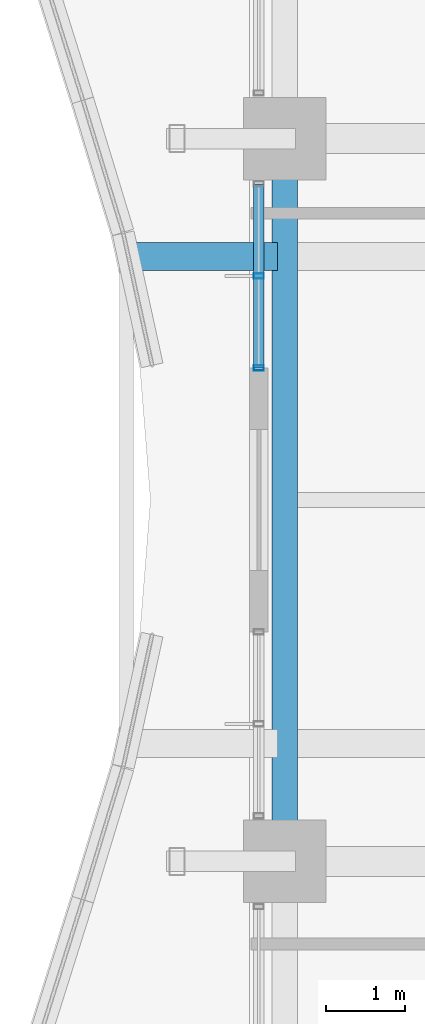
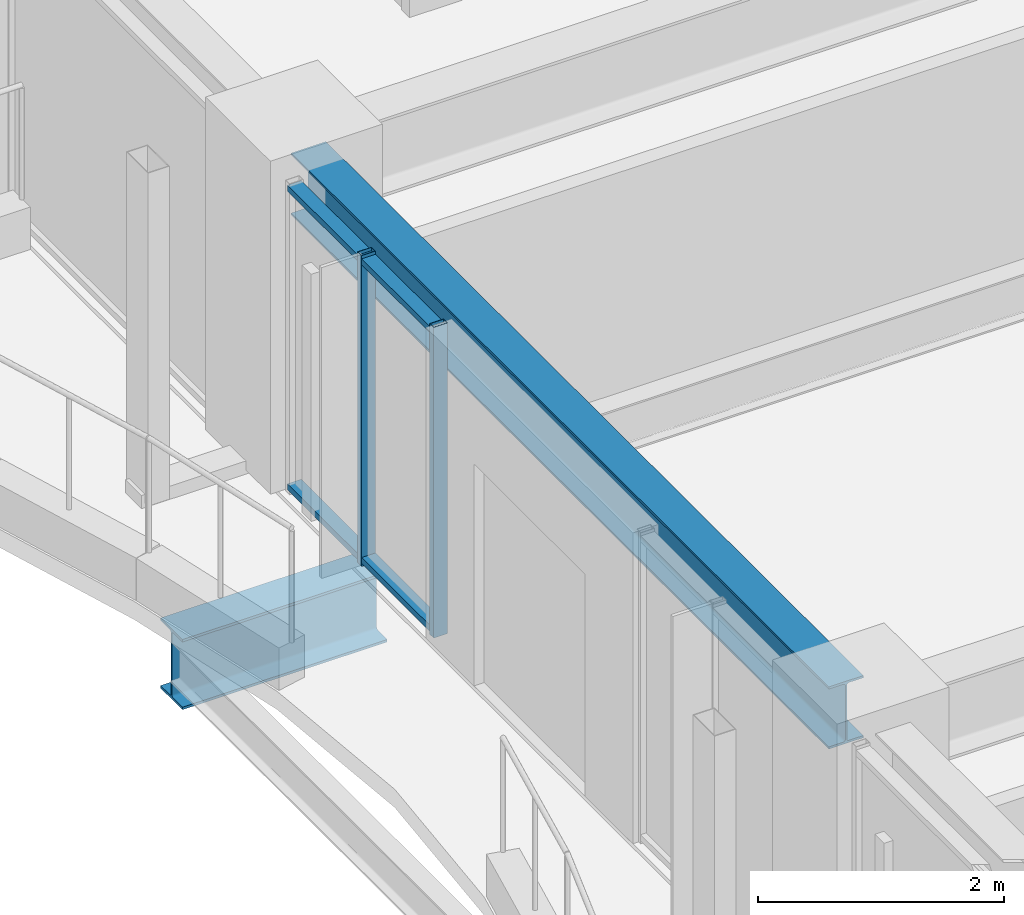
# One storey, part 9 of 35: 4 members, 2 beams, 1 element without a shape of its own.
"""IFC4 building model written with IfcOpenShell, lengths in metres."""

import ifcopenshell
import ifcopenshell.guid

model = None  # the IFC model being written
_history = None  # IfcOwnerHistory: only IFC2X3 demands one
_inside = {}  # id of a spatial element -> (the spatial element, [elements in it])
_under = {}  # id of a project, library or spatial element -> (it, [spatial elements below it])
_declared = {}  # id of a project -> (the project, [libraries it declares])
_typed = {}  # id of a type object -> (the type object, [elements of that type])
_made_of = {}  # id of a material, layer set ... -> (it, [elements and type objects made of it])


def new_model(schema):
    """Start an empty IFC model of exactly this schema.

    Asked for "IFC4X3", IfcOpenShell would pick the latest addendum, in which some entities
    have other attributes; the version numbers below select the first issue.
    IFC2X3 requires an IfcOwnerHistory on every rooted entity: one is made here for all.
    """
    global model, _history
    if schema == "IFC4X3":
        model = ifcopenshell.file(schema_version=(4, 3, 0, 0))
    else:
        model = ifcopenshell.file(schema=schema)
    _inside.clear()
    _under.clear()
    _declared.clear()
    _typed.clear()
    _made_of.clear()
    _history = None
    if model.schema == "IFC2X3":
        org = make("IfcOrganization", Name="unknown")
        user = make(
            "IfcPersonAndOrganization",
            ThePerson=make("IfcPerson", FamilyName="unknown"),
            TheOrganization=org,
        )
        app = make(
            "IfcApplication",
            ApplicationDeveloper=org,
            Version="unknown",
            ApplicationFullName="unknown",
            ApplicationIdentifier="unknown",
        )
        _history = make(
            "IfcOwnerHistory",
            OwningUser=user,
            OwningApplication=app,
            ChangeAction="ADDED",
            CreationDate=0,
        )
    return model


def make(cls, **values):
    """One entity of the class cls with the attributes given. An attribute that is None is left unset."""
    return model.create_entity(
        cls, **{name: value for name, value in values.items() if value is not None}
    )


def rooted(cls, **values):
    """An entity with a GlobalId (a new one), such as an element, a storey or a relation."""
    return make(cls, GlobalId=ifcopenshell.guid.new(), OwnerHistory=_history, **values)


def si_unit(unit_type, name, prefix=None):
    """IfcSIUnit, for example si_unit("LENGTHUNIT", "METRE", prefix="MILLI")."""
    return make("IfcSIUnit", UnitType=unit_type, Prefix=prefix, Name=name)


def assignment(units):
    """IfcUnitAssignment: the units of a project."""
    return None if units is None else make("IfcUnitAssignment", Units=units)


def point(xyz):
    """IfcCartesianPoint."""
    return None if xyz is None else make("IfcCartesianPoint", Coordinates=xyz)


def direction(xyz):
    """IfcDirection."""
    return None if xyz is None else make("IfcDirection", DirectionRatios=xyz)


def frame(location, z_axis=None, x_axis=None):
    """IfcAxis2Placement3D, a coordinate frame: its origin and axes. An axis left out is left unset."""
    return make(
        "IfcAxis2Placement3D",
        Location=point(location),
        Axis=direction(z_axis),
        RefDirection=direction(x_axis),
    )


def frame_2d(location, x_axis=None):
    """IfcAxis2Placement2D, a coordinate frame in the plane: its origin and x axis."""
    return make(
        "IfcAxis2Placement2D", Location=point(location), RefDirection=direction(x_axis)
    )


def origin():
    """The frame at (0, 0, 0) with its axes left unset."""
    return frame((0.0, 0.0, 0.0))


def origin_2d():
    """The frame at (0, 0) in the plane with its x axis left unset."""
    return frame_2d((0.0, 0.0))


def place(relative_to, where):
    """IfcLocalPlacement: puts the frame where relative to a parent placement (None: the world)."""
    return make(
        "IfcLocalPlacement", PlacementRelTo=relative_to, RelativePlacement=where
    )


def context(
    kind, dimensions, precision=None, world=None, true_north=None, identifier=None
):
    """IfcGeometricRepresentationContext, for example the 3D "Model" context."""
    return make(
        "IfcGeometricRepresentationContext",
        ContextIdentifier=identifier,
        ContextType=kind,
        CoordinateSpaceDimension=dimensions,
        Precision=precision,
        WorldCoordinateSystem=world,
        TrueNorth=true_north,
    )


def subcontext(parent, identifier, kind, view, scale=None):
    """IfcGeometricRepresentationSubContext, for example "Body" below "Model"."""
    return make(
        "IfcGeometricRepresentationSubContext",
        ContextIdentifier=identifier,
        ContextType=kind,
        ParentContext=parent,
        TargetScale=scale,
        TargetView=view,
    )


def project(units=None, contexts=None):
    """IfcProject with its units and contexts."""
    return rooted(
        "IfcProject",
        Name="project",
        RepresentationContexts=contexts,
        UnitsInContext=assignment(units),
    )


def spatial(cls, under=None, at=None, **own):
    """A site, building, storey or space (cls), placed at a placement, below another one or the project."""
    s = rooted(cls, ObjectPlacement=at, **own)
    if under is not None:
        _under.setdefault(under.id(), (under, []))[1].append(s)
    return s


def profile(cls, at=None, kind="AREA", **sizes):
    """A parametric profile (cls). Its sizes go by their IFC names, for example OverallWidth=200.0."""
    return make(cls, ProfileType=kind, Position=at, **sizes)


def hollow_rectangle(**sizes):
    """IfcRectangleHollowProfileDef."""
    return profile("IfcRectangleHollowProfileDef", **sizes)


def i_section(**sizes):
    """IfcIShapeProfileDef."""
    return profile("IfcIShapeProfileDef", **sizes)


def extrude(swept, where, along, depth):
    """IfcExtrudedAreaSolid: the profile swept, set in the frame where, extruded along a direction by depth."""
    return make(
        "IfcExtrudedAreaSolid",
        SweptArea=swept,
        Position=where,
        ExtrudedDirection=direction(along),
        Depth=depth,
    )


def shape(context_of_items, identifier, shape_type, items):
    """IfcShapeRepresentation: the items that make up one representation, for example the "Body"."""
    return make(
        "IfcShapeRepresentation",
        ContextOfItems=context_of_items,
        RepresentationIdentifier=identifier,
        RepresentationType=shape_type,
        Items=items,
    )


def material(Name=None, Category=None):
    """IfcMaterial."""
    return make("IfcMaterial", Name=Name, Category=Category)


def material_profile(
    of_material, cross_section, Name=None, Category=None, Priority=None
):
    """IfcMaterialProfile: a cross section and its material."""
    return make(
        "IfcMaterialProfile",
        Name=Name,
        Material=of_material,
        Profile=cross_section,
        Priority=Priority,
        Category=Category,
    )


def profile_set(profiles, Name=None, composite=None):
    """IfcMaterialProfileSet."""
    return make(
        "IfcMaterialProfileSet",
        Name=Name,
        MaterialProfiles=profiles,
        CompositeProfile=composite,
    )


def made_of(thing, what):
    """Note that an element or type object is made of a material, layer set ...; save() writes the relation."""
    if what is not None:
        _made_of.setdefault(what.id(), (what, []))[1].append(thing)
    return thing


def type_object(cls, material=None, **own):
    """A type object (cls), such as IfcWallType, which elements share."""
    return made_of(rooted(cls, **own), material)


def element(
    cls,
    number,
    at=None,
    inside=None,
    cuts=None,
    type_object=None,
    material=None,
    context=None,
    identifier="Body",
    shape_type=None,
    held_by="IfcProductDefinitionShape",
    body=None,
    shapes=None,
    **own,
):
    """One element of the class cls, such as IfcWall. Its Tag is "e" and its number.

    at: its placement. inside: the storey or other place that contains it. cuts: it is an
    opening in that element (IfcRelVoidsElement). A single representation is given by context,
    identifier, shape_type and body (its items); several are given by shapes. held_by: the class
    of the entity that holds the representations. save() writes the other relations.
    """
    e = rooted(cls, Tag="e%d" % number, ObjectPlacement=at, **own)
    if body is not None:
        shapes = [shape(context, identifier, shape_type, body)]
    if shapes is not None:
        e.Representation = make(held_by, Representations=shapes)
    if inside is not None:
        _inside.setdefault(inside.id(), (inside, []))[1].append(e)
    if cuts is not None:
        rooted(
            "IfcRelVoidsElement", RelatingBuildingElement=cuts, RelatedOpeningElement=e
        )
    if type_object is not None:
        _typed.setdefault(type_object.id(), (type_object, []))[1].append(e)
    return made_of(e, material)


def aggregate(whole, parts):
    """IfcRelAggregates: a whole, such as a stair, and the parts it consists of."""
    return rooted("IfcRelAggregates", RelatingObject=whole, RelatedObjects=parts)


def save(model, path):
    """Write the relations noted so far, then the file.

    IfcRelAggregates (storeys below a building ...), IfcRelContainedInSpatialStructure (elements
    in a storey), IfcRelDefinesByType, IfcRelAssociatesMaterial and IfcRelDeclares: one each for
    every whole, place, type object, material and project.
    """
    for whole, parts in _under.values():
        aggregate(whole, parts)
    for where, things in _inside.values():
        rooted(
            "IfcRelContainedInSpatialStructure",
            RelatedElements=things,
            RelatingStructure=where,
        )
    for kind, things in _typed.values():
        rooted("IfcRelDefinesByType", RelatedObjects=things, RelatingType=kind)
    for what, things in _made_of.values():
        rooted("IfcRelAssociatesMaterial", RelatedObjects=things, RelatingMaterial=what)
    for by, libraries in _declared.values():
        rooted("IfcRelDeclares", RelatingContext=by, RelatedDefinitions=libraries)
    model.write(path)


model = new_model("IFC4")

# Units and contexts
model_context = context("Model", 3, precision=1e-05, world=origin(), true_north=direction((0.0, 1.0)))
body_context = subcontext(model_context, "Body", "Model", "MODEL_VIEW")
ifc_project = project(units=[si_unit("LENGTHUNIT", "METRE"), si_unit("AREAUNIT", "SQUARE_METRE"), si_unit("VOLUMEUNIT", "CUBIC_METRE"), si_unit("PLANEANGLEUNIT", "RADIAN"), si_unit("MASSUNIT", "GRAM", prefix="KILO")], contexts=[model_context])

# Site, building, storey
site_placement = place(None, origin())
site = spatial("IfcSite", under=ifc_project, at=site_placement, CompositionType="ELEMENT")
building_placement = place(site_placement, origin())
building = spatial("IfcBuilding", under=site, at=building_placement, Name="Kolvaren Belvedere", CompositionType="ELEMENT")
storey_placement = place(building_placement, frame((0.0, 0.0, 115.10009765625)))
storey = spatial("IfcBuildingStorey", under=building, at=storey_placement, Name="L33", CompositionType="ELEMENT", Elevation=115.10009765625)

# Beams
ifc_material_1 = material(Name="Structural steel ASTM A992 Grade 50", Category="steel")
ifc_material_profile_1 = material_profile(ifc_material_1, i_section(OverallWidth=0.35498046875, OverallDepth=0.696044921875, WebThickness=0.015380859375, FlangeThickness=0.02490234375, FilletRadius=0.02197265625, at=origin_2d()), Name="W27X146")
ifc_profile_set_1 = profile_set([ifc_material_profile_1], Name="Structural steel ASTM A992 Grade 50")
beam_type_1 = type_object("IfcBeamType", Name="BM-CANT-BAL", PredefinedType="BEAM", material=ifc_profile_set_1)
beam_1_placement = place(storey_placement, frame((-18.7451171875, 3.10009765625, -0.568115234375), z_axis=(-1.0, 0.0, 0.0), x_axis=(0.0, -1.0, 0.0)))
element("IfcBeam", 1, at=beam_1_placement, inside=storey, type_object=beam_type_1, Name="L33 Planted Balcony Cantilever BAL-W-2", PredefinedType="BEAM", context=body_context, shape_type="SweptSolid", body=[
    extrude(i_section(OverallWidth=0.35498046875, OverallDepth=0.696044921875, WebThickness=0.015380859375, FlangeThickness=0.02490234375, FilletRadius=0.02197265625, at=origin_2d()), origin(), (0.0, 0.0, 1.0), 1.919189453125),
])
ifc_material_2 = material(Name="Structural steel ASTM A992 Grade 50", Category="steel")
ifc_material_profile_2 = material_profile(ifc_material_2, i_section(OverallWidth=0.324951171875, OverallDepth=0.615966796875, WebThickness=0.013916015625, FlangeThickness=0.021484375, FilletRadius=0.02001953125, at=origin_2d()), Name="W24X117")
ifc_profile_set_2 = profile_set([ifc_material_profile_2], Name="Structural steel ASTM A992 Grade 50")
beam_type_2 = type_object("IfcBeamType", Name="BM-SPAN-W24X117", PredefinedType="SPANDREL", material=ifc_profile_set_2)
beam_2_placement = place(storey_placement, frame((-18.64990234375, 4.36376953125, 2.77197265625), z_axis=(0.0, -1.0, 0.0), x_axis=(1.0, 0.0, 0.0)))
element("IfcBeam", 2, at=beam_2_placement, inside=storey, type_object=beam_type_2, Name="L33 Perimeter Spandrel W3-W2", PredefinedType="SPANDREL", context=body_context, shape_type="SweptSolid", body=[
    extrude(i_section(OverallWidth=0.324951171875, OverallDepth=0.615966796875, WebThickness=0.013916015625, FlangeThickness=0.021484375, FilletRadius=0.02001953125, at=origin_2d()), origin(), (0.0, 0.0, 1.0), 8.7275390625),
])

# Curtain wall, members
ifc_material_3 = material(Name="Anodised pale-metal aluminium AA 6063-T6", Category="aluminium")
curtain_wall_type = type_object("IfcCurtainWallType", Name="CW-Z3-WAIST", PredefinedType="NOTDEFINED", material=ifc_material_3)
curtain_wall_placement = place(storey_placement, origin())
curtain_wall = element("IfcCurtainWall", 3, at=curtain_wall_placement, inside=storey, type_object=curtain_wall_type, Name="L33 Unitised Curtain Wall FCW-L33-W2-B1", PredefinedType="NOTDEFINED")
ifc_material_4 = material(Name="Anodised pale-metal aluminium AA 6063-T6", Category="aluminium")
ifc_material_profile_3 = material_profile(ifc_material_4, hollow_rectangle(XDim=0.06494140625, YDim=0.1298828125, WallThickness=0.00390625, at=origin_2d()), Name="ALU-MUL-130X65")
ifc_profile_set_3 = profile_set([ifc_material_profile_3], Name="Anodised pale-metal aluminium AA 6063-T6")
member_type_1 = type_object("IfcMemberType", Name="CW-MUL-130", PredefinedType="MULLION", material=ifc_profile_set_3)
member_1_placement = place(storey_placement, frame((-18.97998046875, 1.679931640625, 0.0), z_axis=(0.0, 0.0, 1.0), x_axis=(0.0, 1.0, 0.0)))
member_1 = element("IfcMember", 4, at=member_1_placement, type_object=member_type_1, Name="FCW-L33-W2-B1 Unitised Mullion 1", PredefinedType="MULLION", context=body_context, shape_type="SweptSolid", body=[
    extrude(hollow_rectangle(XDim=0.06494140625, YDim=0.1298828125, WallThickness=0.00390625, at=origin_2d()), origin(), (0.0, 0.0, 1.0), 3.079833984375),
])
member_2_placement = place(storey_placement, frame((-18.97998046875, 2.851318359375, 0.0), z_axis=(0.0, 0.0, 1.0), x_axis=(0.0, 1.0, 0.0)))
member_2 = element("IfcMember", 5, at=member_2_placement, type_object=member_type_1, Name="FCW-L33-W2-B1 Unitised Mullion 2", PredefinedType="MULLION", context=body_context, shape_type="SweptSolid", body=[
    extrude(hollow_rectangle(XDim=0.06494140625, YDim=0.1298828125, WallThickness=0.00390625, at=origin_2d()), origin(), (0.0, 0.0, 1.0), 3.079833984375),
])
ifc_material_5 = material(Name="Anodised pale-metal aluminium AA 6063-T6", Category="aluminium")
ifc_material_profile_4 = material_profile(ifc_material_5, hollow_rectangle(XDim=0.06005859375, YDim=0.1298828125, WallThickness=0.00390625, at=origin_2d()), Name="ALU-TRN-130X60")
ifc_profile_set_4 = profile_set([ifc_material_profile_4], Name="Anodised pale-metal aluminium AA 6063-T6")
member_type_2 = type_object("IfcMemberType", Name="CW-TRN-130", PredefinedType="USERDEFINED", material=ifc_profile_set_4)
member_3_placement = place(storey_placement, frame((-18.97998046875, 1.679931640625, 0.059814453125), z_axis=(0.0, 1.0, 0.0), x_axis=(0.0, 0.0, 1.0)))
member_3 = element("IfcMember", 6, at=member_3_placement, type_object=member_type_2, Name="FCW-L33-W2-B1 Sill Transom", ObjectType="TRANSOM", PredefinedType="USERDEFINED", context=body_context, shape_type="SweptSolid", body=[
    extrude(hollow_rectangle(XDim=0.06005859375, YDim=0.1298828125, WallThickness=0.00390625, at=origin_2d()), origin(), (0.0, 0.0, 1.0), 2.342529296875),
])
member_4_placement = place(storey_placement, frame((-18.97998046875, 1.679931640625, 3.02001953125), z_axis=(0.0, 1.0, 0.0), x_axis=(0.0, 0.0, 1.0)))
member_4 = element("IfcMember", 7, at=member_4_placement, type_object=member_type_2, Name="FCW-L33-W2-B1 Head Transom", ObjectType="TRANSOM", PredefinedType="USERDEFINED", context=body_context, shape_type="SweptSolid", body=[
    extrude(hollow_rectangle(XDim=0.06005859375, YDim=0.1298828125, WallThickness=0.00390625, at=origin_2d()), origin(), (0.0, 0.0, 1.0), 2.342529296875),
])
aggregate(curtain_wall, [member_1, member_2, member_3, member_4])

save(model, "model.ifc")
